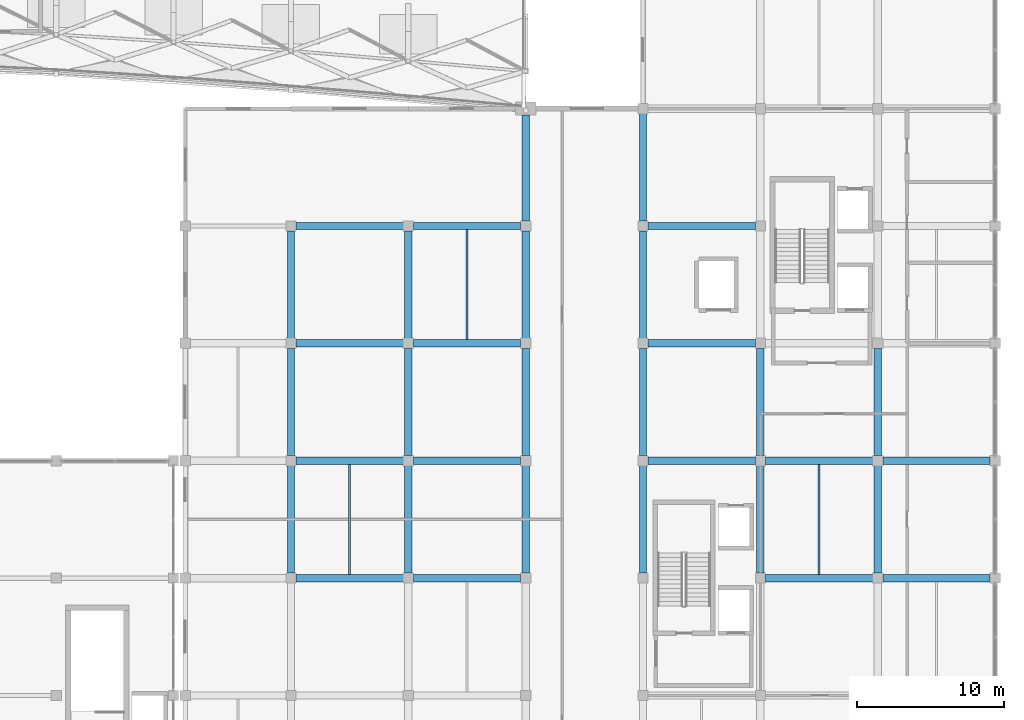
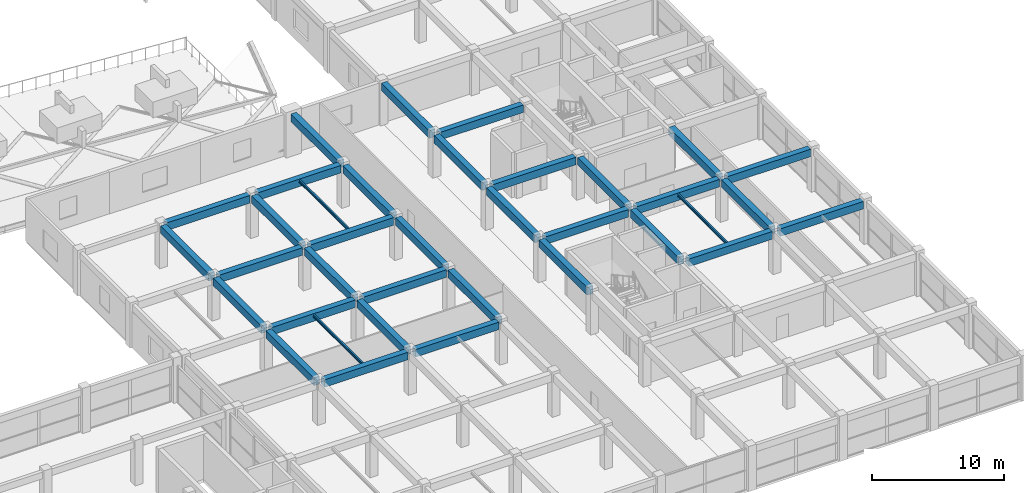
# One storey, part 22 of 67: 36 beams.
"""IFC4 building model written with IfcOpenShell, lengths in metres."""

from ifc_helpers import new_model, si_unit, direction, frame, origin, origin_2d, place, context, subcontext, project, spatial, rectangle, i_section, extrude, material, material_profile, profile_set, type_object, element, save


model = new_model("IFC4")

# Units and contexts
model_context = context("Model", 3, precision=1e-05, world=origin(), true_north=direction((0.0, 1.0)))
body_context = subcontext(model_context, "Body", "Model", "MODEL_VIEW")
ifc_project = project(units=[si_unit("LENGTHUNIT", "METRE"), si_unit("AREAUNIT", "SQUARE_METRE"), si_unit("VOLUMEUNIT", "CUBIC_METRE"), si_unit("PLANEANGLEUNIT", "RADIAN"), si_unit("MASSUNIT", "GRAM", prefix="KILO")], contexts=[model_context])

# Site, building, storey
site_placement = place(None, origin())
site = spatial("IfcSite", under=ifc_project, at=site_placement, CompositionType="ELEMENT")
building_placement = place(site_placement, origin())
building = spatial("IfcBuilding", under=site, at=building_placement, Name="Kenh Van Central Station", CompositionType="ELEMENT")
storey_placement = place(building_placement, frame((0.0, 0.0, 10.800048828125)))
storey = spatial("IfcBuildingStorey", under=building, at=storey_placement, Name="L02", CompositionType="ELEMENT", Elevation=10.800048828125)

# Beams
ifc_material_1 = material(Name="Concrete C35/45", Category="concrete")
ifc_material_profile_1 = material_profile(ifc_material_1, rectangle(XDim=0.5, YDim=0.699951171875, at=origin_2d()), Name="RC 500x700")
ifc_profile_set_1 = profile_set([ifc_material_profile_1], Name="Concrete C35/45")
beam_type_1 = type_object("IfcBeamType", Name="BM-RC-500x700", PredefinedType="BEAM", material=ifc_profile_set_1)
for number, where, z_axis, x_axis, name in (
    (1, (128.340087890625, 32.0, 3.599853515625), (1.0, 0.0, 0.0), (0.0, 1.0, 0.0), "L02 beam 0958"),
    (2, (136.340087890625, 32.0, 3.599853515625), (1.0, 0.0, 0.0), (0.0, 1.0, 0.0), "L02 beam 0959"),
    (3, (160.340087890625, 32.0, 3.599853515625), (1.0, 0.0, 0.0), (0.0, 1.0, 0.0), "L02 beam 0960"),
    (4, (168.340087890625, 32.0, 3.599853515625), (1.0, 0.0, 0.0), (0.0, 1.0, 0.0), "L02 beam 0961"),
    (5, (128.340087890625, 40.0, 3.599853515625), (1.0, 0.0, 0.0), (0.0, 1.0, 0.0), "L02 beam 0968"),
    (6, (136.340087890625, 40.0, 3.599853515625), (1.0, 0.0, 0.0), (0.0, 1.0, 0.0), "L02 beam 0969"),
    (7, (152.340087890625, 40.0, 3.599853515625), (1.0, 0.0, 0.0), (0.0, 1.0, 0.0), "L02 beam 0970"),
    (8, (160.340087890625, 40.0, 3.599853515625), (1.0, 0.0, 0.0), (0.0, 1.0, 0.0), "L02 beam 0971"),
    (9, (168.340087890625, 40.0, 3.599853515625), (1.0, 0.0, 0.0), (0.0, 1.0, 0.0), "L02 beam 0972"),
    (10, (128.340087890625, 48.0, 3.599853515625), (1.0, 0.0, 0.0), (0.0, 1.0, 0.0), "L02 beam 0975"),
    (11, (136.340087890625, 48.0, 3.599853515625), (1.0, 0.0, 0.0), (0.0, 1.0, 0.0), "L02 beam 0976"),
    (12, (152.340087890625, 48.0, 3.599853515625), (1.0, 0.0, 0.0), (0.0, 1.0, 0.0), "L02 beam 0977"),
    (13, (128.340087890625, 56.0, 3.599853515625), (1.0, 0.0, 0.0), (0.0, 1.0, 0.0), "L02 beam 0982"),
    (14, (136.340087890625, 56.0, 3.599853515625), (1.0, 0.0, 0.0), (0.0, 1.0, 0.0), "L02 beam 0983"),
    (15, (152.340087890625, 56.0, 3.599853515625), (1.0, 0.0, 0.0), (0.0, 1.0, 0.0), "L02 beam 0984"),
    (16, (128.0, 32.340087890625, 3.599853515625), (0.0, 1.0, 0.0), (-1.0, 0.0, 0.0), "L02 beam 1039"),
    (17, (128.0, 40.340087890625, 3.599853515625), (0.0, 1.0, 0.0), (-1.0, 0.0, 0.0), "L02 beam 1040"),
    (18, (128.0, 48.340087890625, 3.599853515625), (0.0, 1.0, 0.0), (-1.0, 0.0, 0.0), "L02 beam 1041"),
    (19, (136.0, 32.340087890625, 3.599853515625), (0.0, 1.0, 0.0), (-1.0, 0.0, 0.0), "L02 beam 1045"),
    (20, (136.0, 40.340087890625, 3.599853515625), (0.0, 1.0, 0.0), (-1.0, 0.0, 0.0), "L02 beam 1046"),
    (21, (136.0, 48.340087890625, 3.599853515625), (0.0, 1.0, 0.0), (-1.0, 0.0, 0.0), "L02 beam 1047"),
    (22, (144.0, 32.340087890625, 3.599853515625), (0.0, 1.0, 0.0), (-1.0, 0.0, 0.0), "L02 beam 1051"),
    (23, (144.0, 40.340087890625, 3.599853515625), (0.0, 1.0, 0.0), (-1.0, 0.0, 0.0), "L02 beam 1052"),
    (24, (144.0, 48.340087890625, 3.599853515625), (0.0, 1.0, 0.0), (-1.0, 0.0, 0.0), "L02 beam 1053"),
):
    element("IfcBeam", number, at=place(storey_placement, frame(where, z_axis=z_axis, x_axis=x_axis)), inside=storey, type_object=beam_type_1, Name=name, PredefinedType="BEAM", context=body_context, shape_type="SweptSolid", body=[
        extrude(rectangle(XDim=0.5, YDim=0.699951171875, at=origin_2d()), origin(), (0.0, 0.0, 1.0), 7.31982421875),
    ])
beam_placement = place(storey_placement, frame((144.0, 56.340087890625, 3.599853515625), z_axis=(0.0, 1.0, 0.0), x_axis=(-1.0, 0.0, 0.0)))
element("IfcBeam", 25, at=beam_placement, inside=storey, type_object=beam_type_1, Name="L02 beam 1054", PredefinedType="BEAM", context=body_context, shape_type="SweptSolid", body=[
    extrude(rectangle(XDim=0.5, YDim=0.699951171875, at=origin_2d()), origin(), (0.0, 0.0, 1.0), 7.219970703125),
])
for number, where, z_axis, x_axis, name in (
    (26, (152.0, 32.340087890625, 3.599853515625), (0.0, 1.0, 0.0), (-1.0, 0.0, 0.0), "L02 beam 1058"),
    (27, (152.0, 40.340087890625, 3.599853515625), (0.0, 1.0, 0.0), (-1.0, 0.0, 0.0), "L02 beam 1059"),
    (28, (152.0, 48.340087890625, 3.599853515625), (0.0, 1.0, 0.0), (-1.0, 0.0, 0.0), "L02 beam 1060"),
    (29, (152.0, 56.340087890625, 3.599853515625), (0.0, 1.0, 0.0), (-1.0, 0.0, 0.0), "L02 beam 1061"),
    (30, (160.0, 32.340087890625, 3.599853515625), (0.0, 1.0, 0.0), (-1.0, 0.0, 0.0), "L02 beam 1067"),
    (31, (160.0, 40.340087890625, 3.599853515625), (0.0, 1.0, 0.0), (-1.0, 0.0, 0.0), "L02 beam 1068"),
    (32, (168.0, 32.340087890625, 3.599853515625), (0.0, 1.0, 0.0), (-1.0, 0.0, 0.0), "L02 beam 1076"),
    (33, (168.0, 40.340087890625, 3.599853515625), (0.0, 1.0, 0.0), (-1.0, 0.0, 0.0), "L02 beam 1077"),
):
    element("IfcBeam", number, at=place(storey_placement, frame(where, z_axis=z_axis, x_axis=x_axis)), inside=storey, type_object=beam_type_1, Name=name, PredefinedType="BEAM", context=body_context, shape_type="SweptSolid", body=[
        extrude(rectangle(XDim=0.5, YDim=0.699951171875, at=origin_2d()), origin(), (0.0, 0.0, 1.0), 7.31982421875),
    ])
ifc_material_2 = material(Name="Steel S355", Category="steel")
ifc_material_profile_2 = material_profile(ifc_material_2, i_section(OverallWidth=0.135009765625, OverallDepth=0.27001953125, WebThickness=0.006591796875, FlangeThickness=0.01025390625, FilletRadius=0.014892578125, at=origin_2d()), Name="IPE 270")
ifc_profile_set_2 = profile_set([ifc_material_profile_2], Name="Steel S355")
beam_type_2 = type_object("IfcBeamType", Name="JST-STL-IPE270", PredefinedType="JOIST", material=ifc_profile_set_2)
for number, where, z_axis, x_axis, name in (
    (34, (132.0, 32.25, 3.81494140625), (0.0, 1.0, 0.0), (-1.0, 0.0, 0.0), "L02 floor joist 1094"),
    (35, (140.0, 48.25, 3.81494140625), (0.0, 1.0, 0.0), (-1.0, 0.0, 0.0), "L02 floor joist 1096"),
    (36, (164.0, 32.25, 3.81494140625), (0.0, 1.0, 0.0), (-1.0, 0.0, 0.0), "L02 floor joist 1100"),
):
    element("IfcBeam", number, at=place(storey_placement, frame(where, z_axis=z_axis, x_axis=x_axis)), inside=storey, type_object=beam_type_2, Name=name, PredefinedType="JOIST", context=body_context, shape_type="SweptSolid", body=[
        extrude(i_section(OverallWidth=0.135009765625, OverallDepth=0.27001953125, WebThickness=0.006591796875, FlangeThickness=0.01025390625, FilletRadius=0.014892578125, at=origin_2d()), origin(), (0.0, 0.0, 1.0), 7.5),
    ])

save(model, "model.ifc")
